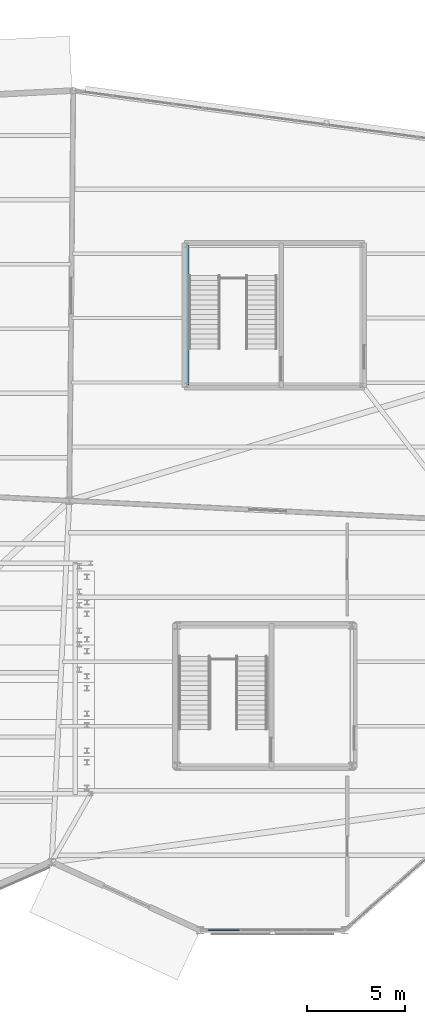
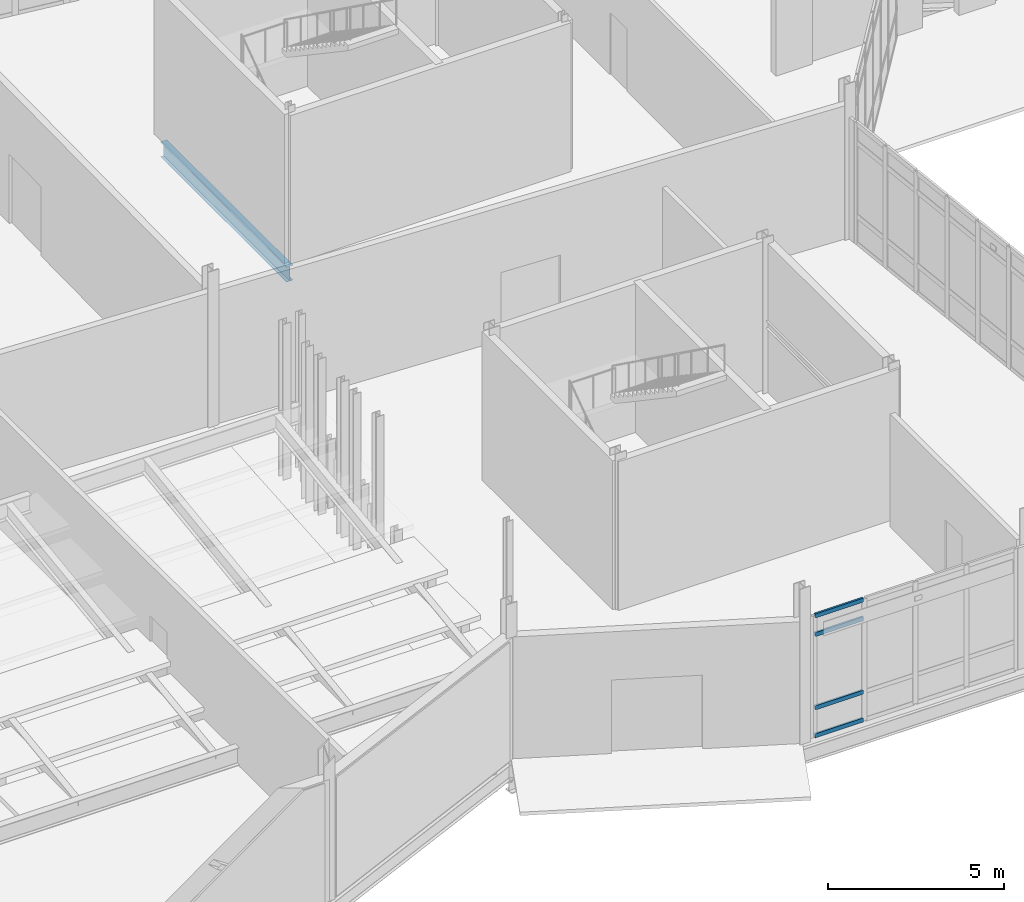
# One storey, part 25 of 113: 4 members, 1 beam, 1 element without a shape of its own.
"""IFC4 building model written with IfcOpenShell, lengths in metres."""

from ifc_helpers import new_model, si_unit, direction, frame, origin, origin_2d, place, context, subcontext, project, spatial, rectangle, i_section, extrude, material, material_profile, profile_set, type_object, element, aggregate, save


model = new_model("IFC4")

# Units and contexts
model_context = context("Model", 3, precision=1e-05, world=origin(), true_north=direction((0.0, 1.0)))
body_context = subcontext(model_context, "Body", "Model", "MODEL_VIEW")
ifc_project = project(units=[si_unit("LENGTHUNIT", "METRE"), si_unit("AREAUNIT", "SQUARE_METRE"), si_unit("VOLUMEUNIT", "CUBIC_METRE"), si_unit("PLANEANGLEUNIT", "RADIAN"), si_unit("MASSUNIT", "GRAM", prefix="KILO")], contexts=[model_context])

# Site, building, storey
site_placement = place(None, origin())
site = spatial("IfcSite", under=ifc_project, at=site_placement, CompositionType="ELEMENT")
building_placement = place(site_placement, origin())
building = spatial("IfcBuilding", under=site, at=building_placement, Name="Tameran Prism Museum", CompositionType="ELEMENT")
storey_placement = place(building_placement, origin())
storey = spatial("IfcBuildingStorey", under=building, at=storey_placement, Name="L00", CompositionType="ELEMENT", Elevation=0.0)

# Beam
ifc_material_1 = material(Name="Steel Grade 300PLUS (300 MPa)", Category="steel")
ifc_material_profile_1 = material_profile(ifc_material_1, i_section(OverallWidth=0.208984375, OverallDepth=0.528076171875, WebThickness=0.009521484375, FlangeThickness=0.01318359375, FilletRadius=0.013916015625, at=origin_2d()))
ifc_profile_set_1 = profile_set([ifc_material_profile_1])
beam_type = type_object("IfcBeamType", Name="BM-SP530B", PredefinedType="SPANDREL", material=ifc_profile_set_1)
beam_placement = place(storey_placement, frame((29.52001953125, 35.080078125, -0.50390625), z_axis=(0.0, -1.0, 0.0), x_axis=(1.0, 0.0, 0.0)))
element("IfcBeam", 1, at=beam_placement, inside=storey, type_object=beam_type, Name="Core Ring Beam CTB-0149", PredefinedType="SPANDREL", context=body_context, shape_type="SweptSolid", body=[
    extrude(i_section(OverallWidth=0.208984375, OverallDepth=0.528076171875, WebThickness=0.009521484375, FlangeThickness=0.01318359375, FilletRadius=0.013916015625, at=origin_2d()), origin(), (0.0, 0.0, 1.0), 7.16015625),
])

# Curtain wall, members
ifc_material_2 = material(Name="Anodised Aluminium 6063-T6 and Cyclone Solar Glass", Category="aluminium")
curtain_wall_type = type_object("IfcCurtainWallType", Name="CW-FAC-670x422", PredefinedType="USERDEFINED", material=ifc_material_2)
curtain_wall_placement = place(storey_placement, origin())
curtain_wall = element("IfcCurtainWall", 2, at=curtain_wall_placement, inside=storey, type_object=curtain_wall_type, Name="Unitised Curtain Wall CW-043", ObjectType="UNITISED CURTAIN WALL", PredefinedType="USERDEFINED")
ifc_material_3 = material(Name="Anodised Aluminium Alloy 6063-T6", Category="aluminium")
ifc_material_profile_2 = material_profile(ifc_material_3, rectangle(XDim=0.06494140625, YDim=0.139892578125, at=origin_2d()))
ifc_profile_set_2 = profile_set([ifc_material_profile_2])
member_type = type_object("IfcMemberType", Name="CW-TRN-A", PredefinedType="USERDEFINED", material=ifc_profile_set_2)
member_1_placement = place(storey_placement, frame((32.1923828125, 0.0, 0.032470703125), z_axis=(-1.0, 0.0, 0.0), x_axis=(0.0, -1.0, 0.0)))
member_1 = element("IfcMember", 3, at=member_1_placement, type_object=member_type, Name="CW-043 transom 4.1", ObjectType="TRANSOM", PredefinedType="USERDEFINED", context=body_context, shape_type="SweptSolid", body=[
    extrude(rectangle(XDim=0.06494140625, YDim=0.139892578125, at=origin_2d()), origin(), (0.0, 0.0, 1.0), 1.577392578125),
])
member_2_placement = place(storey_placement, frame((32.1923828125, 0.0, 1.0), z_axis=(-1.0, 0.0, 0.0), x_axis=(0.0, -1.0, 0.0)))
member_2 = element("IfcMember", 4, at=member_2_placement, type_object=member_type, Name="CW-043 transom 4.2", ObjectType="TRANSOM", PredefinedType="USERDEFINED", context=body_context, shape_type="SweptSolid", body=[
    extrude(rectangle(XDim=0.06494140625, YDim=0.139892578125, at=origin_2d()), origin(), (0.0, 0.0, 1.0), 1.577392578125),
])
member_3_placement = place(storey_placement, frame((32.1923828125, 0.0, 3.5400390625), z_axis=(-1.0, 0.0, 0.0), x_axis=(0.0, -1.0, 0.0)))
member_3 = element("IfcMember", 5, at=member_3_placement, type_object=member_type, Name="CW-043 transom 4.3", ObjectType="TRANSOM", PredefinedType="USERDEFINED", context=body_context, shape_type="SweptSolid", body=[
    extrude(rectangle(XDim=0.06494140625, YDim=0.139892578125, at=origin_2d()), origin(), (0.0, 0.0, 1.0), 1.577392578125),
])
member_4_placement = place(storey_placement, frame((32.1923828125, 0.0, 4.1875), z_axis=(-1.0, 0.0, 0.0), x_axis=(0.0, -1.0, 0.0)))
member_4 = element("IfcMember", 6, at=member_4_placement, type_object=member_type, Name="CW-043 transom 4.4", ObjectType="TRANSOM", PredefinedType="USERDEFINED", context=body_context, shape_type="SweptSolid", body=[
    extrude(rectangle(XDim=0.06494140625, YDim=0.139892578125, at=origin_2d()), origin(), (0.0, 0.0, 1.0), 1.577392578125),
])
aggregate(curtain_wall, [member_1, member_2, member_3, member_4])

save(model, "model.ifc")
